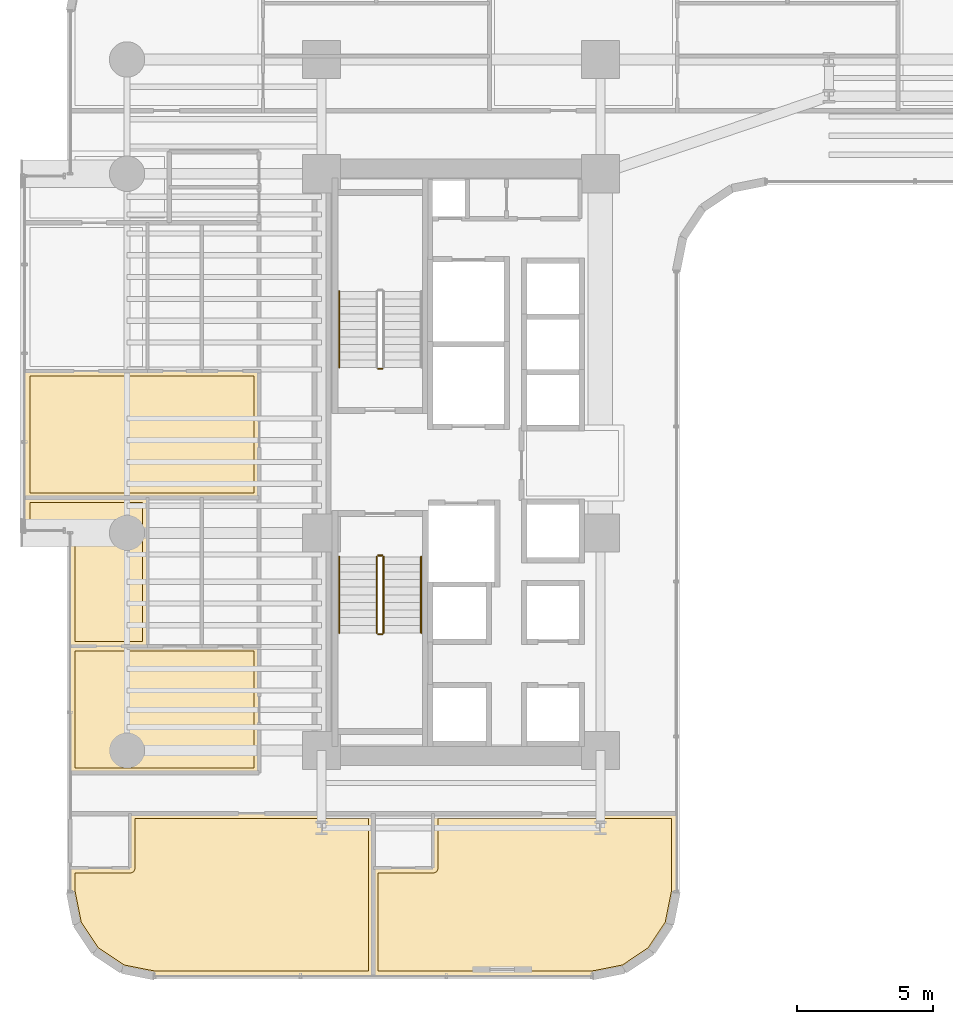
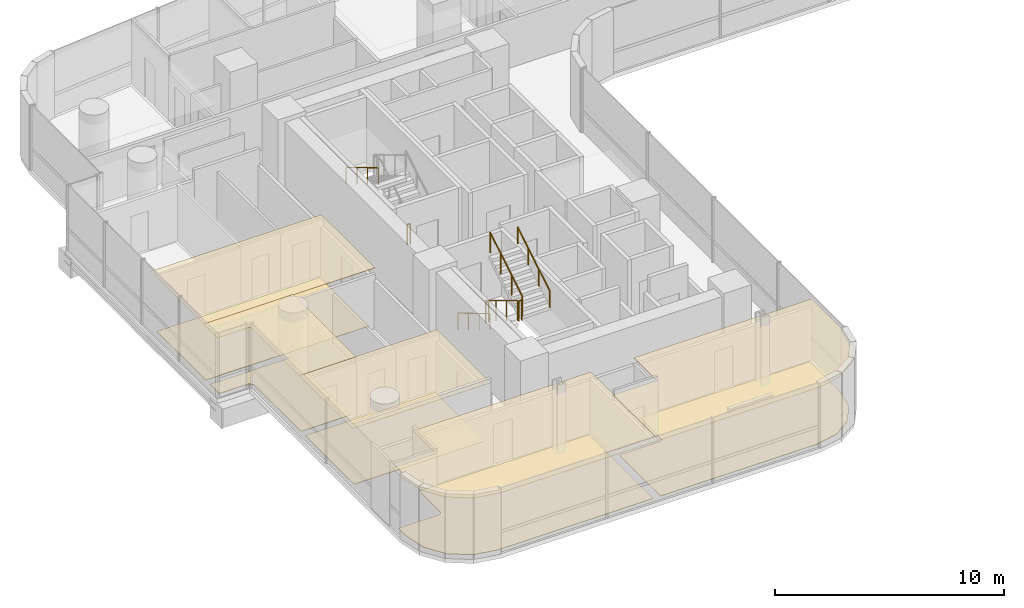
# One storey, part 35 of 40: 10 coverings, 8 railings.
"""IFC4 building model written with IfcOpenShell, lengths in metres."""

from ifc_helpers import new_model, si_unit, direction, frame, origin, origin_2d, place, context, subcontext, project, spatial, polyline, circle, outline, extrude, material, layer, layer_set, type_object, element, save


model = new_model("IFC4")

# Units and contexts
model_context = context("Model", 3, precision=1e-05, world=origin(), true_north=direction((0.0, 1.0)))
body_context = subcontext(model_context, "Body", "Model", "MODEL_VIEW")
ifc_project = project(units=[si_unit("LENGTHUNIT", "METRE"), si_unit("AREAUNIT", "SQUARE_METRE"), si_unit("VOLUMEUNIT", "CUBIC_METRE"), si_unit("PLANEANGLEUNIT", "RADIAN"), si_unit("MASSUNIT", "GRAM", prefix="KILO")], contexts=[model_context])

# Site, building, storey
site_placement = place(None, origin())
site = spatial("IfcSite", under=ifc_project, at=site_placement, CompositionType="ELEMENT")
building_placement = place(site_placement, origin())
building = spatial("IfcBuilding", under=site, at=building_placement, Name="Valdorenza Pilgrim Sanctuary Tower", CompositionType="ELEMENT")
storey_placement = place(building_placement, frame((0.0, 0.0, 44.5)))
storey = spatial("IfcBuildingStorey", under=building, at=storey_placement, Name="L10", CompositionType="ELEMENT", Elevation=44.5)

# Coverings
ifc_material_1 = material(Name="Micro-perforated acoustic mineral ceiling tile", Category="gypsum")
ifc_layer_1 = layer(ifc_material_1, 0.02490234375, Name="Micro-perforated acoustic mineral ceiling tile")
ifc_layer_set_1 = layer_set([ifc_layer_1], Name="Micro-perforated acoustic mineral ceiling tile")
covering_type_1 = type_object("IfcCoveringType", Name="COV-CLG-ACU", PredefinedType="CEILING", material=ifc_layer_set_1)
covering_1_placement = place(storey_placement, frame((0.0, 0.0, 3.159912109375)))
element("IfcCovering", 1, at=covering_1_placement, inside=storey, type_object=covering_type_1, Name="L10 Pilgrim Family Flat L10-W1 Bedroom Acoustic Ceiling", PredefinedType="CEILING", context=body_context, shape_type="SweptSolid", body=[
    extrude(outline(polyline([(-29.034912109375, -6.769287109375), (-29.03515625, -6.77099609375), (-29.035400390625, -6.772216796875), (-29.03564453125, -6.773681640625), (-29.0361328125, -6.775146484375), (-29.036865234375, -6.776611328125), (-29.03759765625, -6.777587890625), (-29.038330078125, -6.77880859375), (-29.039306640625, -6.780029296875), (-29.04052734375, -6.781005859375), (-29.041748046875, -6.781982421875), (-29.04296875, -6.78271484375), (-29.044189453125, -6.783203125), (-29.045654296875, -6.78369140625), (-29.047119140625, -6.7841796875), (-29.048583984375, -6.7841796875), (-29.050048828125, -6.784423828125), (-31.889892578125, -6.784423828125), (-31.8916015625, -6.7841796875), (-31.892822265625, -6.7841796875), (-31.894287109375, -6.78369140625), (-31.895751953125, -6.783203125), (-31.897216796875, -6.78271484375), (-31.898193359375, -6.781982421875), (-31.8994140625, -6.781005859375), (-31.900634765625, -6.780029296875), (-31.901611328125, -6.77880859375), (-31.902587890625, -6.777587890625), (-31.9033203125, -6.776611328125), (-31.90380859375, -6.775146484375), (-31.904296875, -6.773681640625), (-31.90478515625, -6.772216796875), (-31.90478515625, -6.77099609375), (-31.905029296875, -6.769287109375), (-31.905029296875, -2.600341796875), (-31.905517578125, -2.5908203125), (-31.90673828125, -2.58154296875), (-31.9091796875, -2.572509765625), (-31.912109375, -2.563720703125), (-31.916259765625, -2.55517578125), (-31.9208984375, -2.547119140625), (-31.926513671875, -2.539794921875), (-31.932861328125, -2.53271484375), (-31.939697265625, -2.526611328125), (-31.947265625, -2.52099609375), (-31.955078125, -2.51611328125), (-31.963623046875, -2.51220703125), (-31.972412109375, -2.509033203125), (-31.9814453125, -2.5068359375), (-31.99072265625, -2.505615234375), (-32.00048828125, -2.5048828125), (-33.5400390625, -2.5048828125), (-33.54150390625, -2.5048828125), (-33.54296875, -2.504638671875), (-33.54443359375, -2.50439453125), (-33.545654296875, -2.50390625), (-33.547119140625, -2.503173828125), (-33.54833984375, -2.50244140625), (-33.549560546875, -2.501708984375), (-33.550537109375, -2.50048828125), (-33.551513671875, -2.49951171875), (-33.552490234375, -2.498291015625), (-33.55322265625, -2.4970703125), (-33.553955078125, -2.49560546875), (-33.554443359375, -2.494384765625), (-33.5546875, -2.492919921875), (-33.554931640625, -2.491455078125), (-33.554931640625, -2.489990234375), (-33.554931640625, -1.31005859375), (-33.554931640625, -1.30859375), (-33.5546875, -1.30712890625), (-33.554443359375, -1.3056640625), (-33.553955078125, -1.30419921875), (-33.55322265625, -1.302978515625), (-33.552490234375, -1.3017578125), (-33.551513671875, -1.300537109375), (-33.550537109375, -1.29931640625), (-33.549560546875, -1.29833984375), (-33.54833984375, -1.297607421875), (-33.547119140625, -1.296875), (-33.545654296875, -1.296142578125), (-33.54443359375, -1.295654296875), (-33.54296875, -1.29541015625), (-33.54150390625, -1.295166015625), (-33.5400390625, -1.294921875), (-29.050048828125, -1.294921875), (-29.048583984375, -1.295166015625), (-29.047119140625, -1.29541015625), (-29.045654296875, -1.295654296875), (-29.044189453125, -1.296142578125), (-29.04296875, -1.296875), (-29.041748046875, -1.297607421875), (-29.04052734375, -1.29833984375), (-29.039306640625, -1.29931640625), (-29.038330078125, -1.300537109375), (-29.03759765625, -1.3017578125), (-29.036865234375, -1.302978515625), (-29.0361328125, -1.30419921875), (-29.03564453125, -1.3056640625), (-29.035400390625, -1.30712890625), (-29.03515625, -1.30859375), (-29.034912109375, -1.31005859375), (-29.034912109375, -6.769287109375)])), origin(), (0.0, 0.0, 1.0), 0.025146484375),
])
covering_2_placement = place(storey_placement, frame((0.0, 0.0, 3.159912109375)))
element("IfcCovering", 2, at=covering_2_placement, inside=storey, type_object=covering_type_1, Name="L10 Pilgrim Family Flat L10-W1 Living Room Acoustic Ceiling", PredefinedType="CEILING", context=body_context, shape_type="SweptSolid", body=[
    extrude(outline(polyline([(-29.055419921875, -6.75634765625), (-29.054931640625, -6.756103515625), (-29.0537109375, -6.755615234375), (-29.05224609375, -6.7548828125), (-29.05078125, -6.754638671875), (-29.04931640625, -6.75439453125), (-29.048095703125, -6.75439453125), (-24.949951171875, -6.75439453125), (-24.948486328125, -6.75439453125), (-24.947021484375, -6.754638671875), (-24.945556640625, -6.7548828125), (-24.9443359375, -6.755615234375), (-24.94287109375, -6.756103515625), (-24.941650390625, -6.7568359375), (-24.9404296875, -6.7578125), (-24.939453125, -6.7587890625), (-24.9384765625, -6.760009765625), (-24.9375, -6.760986328125), (-24.936767578125, -6.76220703125), (-24.93603515625, -6.763671875), (-24.935546875, -6.764892578125), (-24.935302734375, -6.7666015625), (-24.93505859375, -6.767822265625), (-24.93505859375, -6.769287109375), (-24.93505859375, -11.419921875), (-24.93505859375, -11.42138671875), (-24.935302734375, -11.4228515625), (-24.935546875, -11.42431640625), (-24.93603515625, -11.42578125), (-24.936767578125, -11.427001953125), (-24.9375, -11.42822265625), (-24.9384765625, -11.429443359375), (-24.939453125, -11.4306640625), (-24.9404296875, -11.431640625), (-24.941650390625, -11.4326171875), (-24.94287109375, -11.43310546875), (-24.9443359375, -11.433837890625), (-24.945556640625, -11.434326171875), (-24.947021484375, -11.434814453125), (-24.948486328125, -11.434814453125), (-24.949951171875, -11.43505859375), (-31.889892578125, -11.43505859375), (-31.8916015625, -11.434814453125), (-31.892822265625, -11.434814453125), (-31.894287109375, -11.434326171875), (-31.895751953125, -11.433837890625), (-31.897216796875, -11.43310546875), (-31.898193359375, -11.4326171875), (-31.8994140625, -11.431640625), (-31.900634765625, -11.4306640625), (-31.901611328125, -11.429443359375), (-31.902587890625, -11.42822265625), (-31.9033203125, -11.427001953125), (-31.90380859375, -11.42578125), (-31.904296875, -11.42431640625), (-31.90478515625, -11.4228515625), (-31.90478515625, -11.42138671875), (-31.905029296875, -11.419921875), (-31.905029296875, -6.771484375), (-31.90478515625, -6.77001953125), (-31.90478515625, -6.7685546875), (-31.904296875, -6.76708984375), (-31.90380859375, -6.765625), (-31.9033203125, -6.764404296875), (-31.902587890625, -6.76318359375), (-31.901611328125, -6.761962890625), (-31.900634765625, -6.7607421875), (-31.8994140625, -6.759765625), (-31.898193359375, -6.7587890625), (-31.897216796875, -6.75830078125), (-31.895751953125, -6.757568359375), (-31.894287109375, -6.757080078125), (-31.892822265625, -6.756591796875), (-31.8916015625, -6.756591796875), (-31.889892578125, -6.75634765625), (-29.055419921875, -6.75634765625)])), origin(), (0.0, 0.0, 1.0), 0.025146484375),
])
covering_3_placement = place(storey_placement, frame((0.0, 0.0, 3.159912109375)))
element("IfcCovering", 3, at=covering_3_placement, inside=storey, type_object=covering_type_1, Name="L10 Pilgrim Family Flat L10-W2 Living Room Acoustic Ceiling", PredefinedType="CEILING", context=body_context, shape_type="SweptSolid", body=[
    extrude(outline(polyline([(-29.055419921875, 3.353515625), (-29.054931640625, 3.35400390625), (-29.0537109375, 3.3544921875), (-29.05224609375, 3.35498046875), (-29.05078125, 3.355224609375), (-29.04931640625, 3.35546875), (-29.048095703125, 3.355712890625), (-24.949951171875, 3.355712890625), (-24.948486328125, 3.35546875), (-24.947021484375, 3.355224609375), (-24.945556640625, 3.35498046875), (-24.9443359375, 3.3544921875), (-24.94287109375, 3.353759765625), (-24.941650390625, 3.35302734375), (-24.9404296875, 3.352294921875), (-24.939453125, 3.351318359375), (-24.9384765625, 3.35009765625), (-24.9375, 3.348876953125), (-24.936767578125, 3.34765625), (-24.93603515625, 3.34619140625), (-24.935546875, 3.344970703125), (-24.935302734375, 3.343505859375), (-24.93505859375, 3.342041015625), (-24.93505859375, 3.340576171875), (-24.93505859375, -1.30810546875), (-24.93505859375, -1.3095703125), (-24.935302734375, -1.310791015625), (-24.935546875, -1.3125), (-24.93603515625, -1.313720703125), (-24.936767578125, -1.315185546875), (-24.9375, -1.31640625), (-24.9384765625, -1.3173828125), (-24.939453125, -1.318603515625), (-24.9404296875, -1.319580078125), (-24.941650390625, -1.320556640625), (-24.94287109375, -1.3212890625), (-24.9443359375, -1.322021484375), (-24.945556640625, -1.322509765625), (-24.947021484375, -1.32275390625), (-24.948486328125, -1.322998046875), (-24.949951171875, -1.322998046875), (-27.04833984375, -1.322998046875), (-27.048828125, -1.322998046875), (-27.050537109375, -1.3232421875), (-27.052001953125, -1.3232421875), (-27.053466796875, -1.322998046875), (-27.0537109375, -1.322998046875), (-29.04638671875, -1.322998046875), (-29.046875, -1.322998046875), (-29.048583984375, -1.3232421875), (-29.050048828125, -1.3232421875), (-29.051513671875, -1.322998046875), (-29.0517578125, -1.322998046875), (-33.5400390625, -1.322998046875), (-33.54150390625, -1.322998046875), (-33.54296875, -1.32275390625), (-33.54443359375, -1.322509765625), (-33.545654296875, -1.322021484375), (-33.547119140625, -1.3212890625), (-33.54833984375, -1.320556640625), (-33.549560546875, -1.319580078125), (-33.550537109375, -1.318603515625), (-33.551513671875, -1.3173828125), (-33.552490234375, -1.31640625), (-33.55322265625, -1.315185546875), (-33.553955078125, -1.313720703125), (-33.554443359375, -1.3125), (-33.5546875, -1.310791015625), (-33.554931640625, -1.3095703125), (-33.554931640625, -1.30810546875), (-33.554931640625, 3.338623046875), (-33.554931640625, 3.340087890625), (-33.5546875, 3.341552734375), (-33.554443359375, 3.343017578125), (-33.553955078125, 3.34423828125), (-33.55322265625, 3.345703125), (-33.552490234375, 3.346923828125), (-33.551513671875, 3.34814453125), (-33.550537109375, 3.34912109375), (-33.549560546875, 3.35009765625), (-33.54833984375, 3.35107421875), (-33.547119140625, 3.351806640625), (-33.545654296875, 3.3525390625), (-33.54443359375, 3.35302734375), (-33.54296875, 3.353271484375), (-33.54150390625, 3.353515625), (-33.5400390625, 3.353515625), (-29.055419921875, 3.353515625)])), origin(), (0.0, 0.0, 1.0), 0.025146484375),
])
covering_4_placement = place(storey_placement, frame((0.0, 0.0, 3.159912109375)))
element("IfcCovering", 4, at=covering_4_placement, inside=storey, type_object=covering_type_1, Name="L10 South Sanctuary Guest Room L10-S1A Acoustic Ceiling", PredefinedType="CEILING", context=body_context, shape_type="SweptSolid", body=[
    extrude(outline(polyline([(-29.702880859375, -14.906982421875), (-29.702880859375, -12.919921875), (-29.702880859375, -12.91845703125), (-29.70263671875, -12.9169921875), (-29.702392578125, -12.91552734375), (-29.701904296875, -12.914306640625), (-29.701171875, -12.912841796875), (-29.700439453125, -12.91162109375), (-29.69970703125, -12.910400390625), (-29.698486328125, -12.909423828125), (-29.697509765625, -12.908447265625), (-29.6962890625, -12.907470703125), (-29.695068359375, -12.90673828125), (-29.693603515625, -12.906005859375), (-29.6923828125, -12.905517578125), (-29.69091796875, -12.9052734375), (-29.689453125, -12.905029296875), (-29.68798828125, -12.905029296875), (-20.75, -12.905029296875), (-20.74853515625, -12.905029296875), (-20.7470703125, -12.9052734375), (-20.74560546875, -12.905517578125), (-20.744384765625, -12.906005859375), (-20.742919921875, -12.90673828125), (-20.74169921875, -12.907470703125), (-20.740478515625, -12.908447265625), (-20.739501953125, -12.909423828125), (-20.73828125, -12.910400390625), (-20.737548828125, -12.91162109375), (-20.73681640625, -12.912841796875), (-20.736083984375, -12.914306640625), (-20.735595703125, -12.91552734375), (-20.7353515625, -12.9169921875), (-20.735107421875, -12.91845703125), (-20.735107421875, -12.919921875), (-20.735107421875, -18.889892578125), (-20.735107421875, -18.8916015625), (-20.7353515625, -18.892822265625), (-20.735595703125, -18.894287109375), (-20.736083984375, -18.895751953125), (-20.73681640625, -18.897216796875), (-20.737548828125, -18.898193359375), (-20.73828125, -18.8994140625), (-20.739501953125, -18.900634765625), (-20.740478515625, -18.901611328125), (-20.74169921875, -18.902587890625), (-20.742919921875, -18.9033203125), (-20.744384765625, -18.90380859375), (-20.74560546875, -18.904296875), (-20.7470703125, -18.90478515625), (-20.74853515625, -18.90478515625), (-20.75, -18.905029296875), (-28.789306640625, -18.905029296875), (-28.79052734375, -18.90478515625), (-28.7919921875, -18.90478515625), (-29.984619140625, -18.66748046875), (-29.986083984375, -18.6669921875), (-29.9873046875, -18.66650390625), (-29.98876953125, -18.666015625), (-29.989990234375, -18.665283203125), (-30.99169921875, -17.995849609375), (-30.992919921875, -17.9951171875), (-30.993896484375, -17.993896484375), (-30.9951171875, -17.992919921875), (-30.995849609375, -17.99169921875), (-31.665283203125, -16.989990234375), (-31.666015625, -16.98876953125), (-31.66650390625, -16.9873046875), (-31.6669921875, -16.986083984375), (-31.66748046875, -16.984619140625), (-31.90478515625, -15.7919921875), (-31.90478515625, -15.79052734375), (-31.905029296875, -15.789306640625), (-31.905029296875, -14.922119140625), (-31.90478515625, -14.92041015625), (-31.90478515625, -14.919189453125), (-31.904296875, -14.91748046875), (-31.90380859375, -14.916259765625), (-31.9033203125, -14.914794921875), (-31.902587890625, -14.913818359375), (-31.901611328125, -14.91259765625), (-31.900634765625, -14.911376953125), (-31.8994140625, -14.910400390625), (-31.898193359375, -14.909423828125), (-31.897216796875, -14.90869140625), (-31.895751953125, -14.908203125), (-31.894287109375, -14.90771484375), (-31.892822265625, -14.9072265625), (-31.8916015625, -14.906982421875), (-31.889892578125, -14.906982421875), (-29.702880859375, -14.906982421875)])), origin(), (0.0, 0.0, 1.0), 0.025146484375),
])
covering_5_placement = place(storey_placement, frame((0.0, 0.0, 3.159912109375)))
element("IfcCovering", 5, at=covering_5_placement, inside=storey, type_object=covering_type_1, Name="L10 South Sanctuary Guest Room L10-S1B Acoustic Ceiling", PredefinedType="CEILING", context=body_context, shape_type="SweptSolid", body=[
    extrude(outline(polyline([(-18.56298828125, -14.906982421875), (-18.56298828125, -12.919921875), (-18.56298828125, -12.91845703125), (-18.562744140625, -12.9169921875), (-18.5625, -12.91552734375), (-18.56201171875, -12.914306640625), (-18.561279296875, -12.912841796875), (-18.560546875, -12.91162109375), (-18.5595703125, -12.910400390625), (-18.55859375, -12.909423828125), (-18.5576171875, -12.908447265625), (-18.556396484375, -12.907470703125), (-18.55517578125, -12.90673828125), (-18.5537109375, -12.906005859375), (-18.552490234375, -12.905517578125), (-18.55078125, -12.9052734375), (-18.549560546875, -12.905029296875), (-18.548095703125, -12.905029296875), (-9.610107421875, -12.905029296875), (-9.6083984375, -12.905029296875), (-9.607177734375, -12.9052734375), (-9.605712890625, -12.905517578125), (-9.604248046875, -12.906005859375), (-9.602783203125, -12.90673828125), (-9.601806640625, -12.907470703125), (-9.6005859375, -12.908447265625), (-9.599365234375, -12.909423828125), (-9.598388671875, -12.910400390625), (-9.597412109375, -12.91162109375), (-9.5966796875, -12.912841796875), (-9.59619140625, -12.914306640625), (-9.595703125, -12.91552734375), (-9.59521484375, -12.9169921875), (-9.59521484375, -12.91845703125), (-9.594970703125, -12.919921875), (-9.594970703125, -15.789306640625), (-9.59521484375, -15.79052734375), (-9.59521484375, -15.7919921875), (-9.83251953125, -16.984619140625), (-9.8330078125, -16.986083984375), (-9.83349609375, -16.9873046875), (-9.833984375, -16.98876953125), (-9.834716796875, -16.989990234375), (-10.504150390625, -17.99169921875), (-10.5048828125, -17.992919921875), (-10.506103515625, -17.993896484375), (-10.507080078125, -17.9951171875), (-10.50830078125, -17.995849609375), (-11.510009765625, -18.665283203125), (-11.51123046875, -18.666015625), (-11.5126953125, -18.66650390625), (-11.513916015625, -18.6669921875), (-11.515380859375, -18.66748046875), (-12.7080078125, -18.90478515625), (-12.70947265625, -18.90478515625), (-12.710693359375, -18.905029296875), (-20.748046875, -18.905029296875), (-20.74951171875, -18.90478515625), (-20.7509765625, -18.90478515625), (-20.75244140625, -18.904296875), (-20.753662109375, -18.90380859375), (-20.755126953125, -18.9033203125), (-20.75634765625, -18.902587890625), (-20.757568359375, -18.901611328125), (-20.758544921875, -18.900634765625), (-20.759521484375, -18.8994140625), (-20.760498046875, -18.898193359375), (-20.76123046875, -18.897216796875), (-20.761962890625, -18.895751953125), (-20.762451171875, -18.894287109375), (-20.7626953125, -18.892822265625), (-20.762939453125, -18.8916015625), (-20.762939453125, -18.889892578125), (-20.762939453125, -14.922119140625), (-20.762939453125, -14.92041015625), (-20.7626953125, -14.919189453125), (-20.762451171875, -14.91748046875), (-20.761962890625, -14.916259765625), (-20.76123046875, -14.914794921875), (-20.760498046875, -14.913818359375), (-20.759521484375, -14.91259765625), (-20.758544921875, -14.911376953125), (-20.757568359375, -14.910400390625), (-20.75634765625, -14.909423828125), (-20.755126953125, -14.90869140625), (-20.753662109375, -14.908203125), (-20.75244140625, -14.90771484375), (-20.7509765625, -14.9072265625), (-20.74951171875, -14.906982421875), (-20.748046875, -14.906982421875), (-18.56298828125, -14.906982421875)])), origin(), (0.0, 0.0, 1.0), 0.025146484375),
])
ifc_material_2 = material(Name="Engineered European oak timber flooring", Category="wood")
ifc_layer_2 = layer(ifc_material_2, 0.02197265625, Name="Engineered European oak timber flooring")
ifc_layer_set_2 = layer_set([ifc_layer_2], Name="Engineered European oak timber flooring")
covering_type_2 = type_object("IfcCoveringType", Name="COV-FLR-OAK", PredefinedType="FLOORING", material=ifc_layer_set_2)
covering_6_placement = place(storey_placement, origin())
element("IfcCovering", 6, at=covering_6_placement, inside=storey, type_object=covering_type_2, Name="L10 Pilgrim Family Flat L10-W1 Bedroom Flooring", PredefinedType="FLOORING", context=body_context, shape_type="SweptSolid", body=[
    extrude(outline(polyline([(-29.22998046875, -6.58935546875), (-31.7099609375, -6.58935546875), (-31.7099609375, -2.60009765625), (-31.710205078125, -2.59130859375), (-31.710693359375, -2.580322265625), (-31.71240234375, -2.562744140625), (-31.714111328125, -2.552001953125), (-31.717529296875, -2.534912109375), (-31.72021484375, -2.5244140625), (-31.725341796875, -2.50732421875), (-31.72900390625, -2.497314453125), (-31.735595703125, -2.48095703125), (-31.740234375, -2.47119140625), (-31.74853515625, -2.45556640625), (-31.754150390625, -2.4462890625), (-31.763916015625, -2.431640625), (-31.7705078125, -2.423095703125), (-31.781494140625, -2.4091796875), (-31.788818359375, -2.4013671875), (-31.80126953125, -2.388916015625), (-31.809326171875, -2.381591796875), (-31.822998046875, -2.370361328125), (-31.831787109375, -2.364013671875), (-31.84619140625, -2.35400390625), (-31.855712890625, -2.3486328125), (-31.87109375, -2.34033203125), (-31.880859375, -2.335693359375), (-31.897216796875, -2.328857421875), (-31.907470703125, -2.3251953125), (-31.92431640625, -2.320068359375), (-31.934814453125, -2.3173828125), (-31.9521484375, -2.314208984375), (-31.962890625, -2.3125), (-31.98046875, -2.310791015625), (-31.9912109375, -2.310302734375), (-32.0, -2.31005859375), (-33.360107421875, -2.31005859375), (-33.360107421875, -1.489990234375), (-29.22998046875, -1.489990234375), (-29.22998046875, -6.58935546875)])), origin(), (0.0, 0.0, 1.0), 0.02490234375),
])
covering_7_placement = place(storey_placement, origin())
element("IfcCovering", 7, at=covering_7_placement, inside=storey, type_object=covering_type_2, Name="L10 Pilgrim Family Flat L10-W1 Living Room Flooring", PredefinedType="FLOORING", context=body_context, shape_type="SweptSolid", body=[
    extrude(outline(polyline([(-25.1298828125, -11.239990234375), (-31.7099609375, -11.239990234375), (-31.7099609375, -6.951416015625), (-29.050048828125, -6.951416015625), (-25.1298828125, -6.949462890625), (-25.1298828125, -11.239990234375)])), origin(), (0.0, 0.0, 1.0), 0.02490234375),
])
covering_8_placement = place(storey_placement, origin())
element("IfcCovering", 8, at=covering_8_placement, inside=storey, type_object=covering_type_2, Name="L10 Pilgrim Family Flat L10-W2 Living Room Flooring", PredefinedType="FLOORING", context=body_context, shape_type="SweptSolid", body=[
    extrude(outline(polyline([(-29.0498046875, -1.1279296875), (-29.050048828125, -1.1279296875), (-33.360107421875, -1.1279296875), (-33.360107421875, 3.15869140625), (-29.050048828125, 3.15869140625), (-25.1298828125, 3.160400390625), (-25.1298828125, -1.1279296875), (-27.050048828125, -1.1279296875), (-27.051025390625, -1.1279296875), (-27.0517578125, -1.1279296875), (-27.052001953125, -1.1279296875), (-29.048095703125, -1.1279296875), (-29.049072265625, -1.1279296875), (-29.0498046875, -1.1279296875)])), origin(), (0.0, 0.0, 1.0), 0.02490234375),
])
covering_9_placement = place(storey_placement, origin())
element("IfcCovering", 9, at=covering_9_placement, inside=storey, type_object=covering_type_2, Name="L10 South Sanctuary Guest Room L10-S1A Flooring", PredefinedType="FLOORING", context=body_context, shape_type="SweptSolid", body=[
    extrude(outline(polyline([(-28.771484375, -18.7099609375), (-29.911376953125, -18.483154296875), (-30.853515625, -17.853515625), (-31.483154296875, -16.911376953125), (-31.7099609375, -15.771484375), (-31.7099609375, -15.10205078125), (-29.68994140625, -15.10205078125), (-29.68115234375, -15.101806640625), (-29.680908203125, -15.101806640625), (-29.663330078125, -15.10009765625), (-29.6630859375, -15.10009765625), (-29.64599609375, -15.0966796875), (-29.645751953125, -15.096435546875), (-29.62890625, -15.09130859375), (-29.628662109375, -15.09130859375), (-29.6123046875, -15.084716796875), (-29.612060546875, -15.08447265625), (-29.596435546875, -15.076171875), (-29.596435546875, -15.076171875), (-29.581787109375, -15.066162109375), (-29.58154296875, -15.066162109375), (-29.56787109375, -15.054931640625), (-29.567626953125, -15.0546875), (-29.55517578125, -15.042236328125), (-29.55517578125, -15.0419921875), (-29.5439453125, -15.028564453125), (-29.543701171875, -15.0283203125), (-29.533935546875, -15.013671875), (-29.53369140625, -15.013427734375), (-29.525390625, -14.997802734375), (-29.525390625, -14.997802734375), (-29.518798828125, -14.9814453125), (-29.5185546875, -14.981201171875), (-29.513427734375, -14.96435546875), (-29.513427734375, -14.964111328125), (-29.510009765625, -14.94677734375), (-29.510009765625, -14.946533203125), (-29.50830078125, -14.928955078125), (-29.50830078125, -14.9287109375), (-29.508056640625, -14.919921875), (-29.508056640625, -13.10009765625), (-20.929931640625, -13.10009765625), (-20.929931640625, -18.7099609375), (-28.771484375, -18.7099609375)])), origin(), (0.0, 0.0, 1.0), 0.02490234375),
])
covering_10_placement = place(storey_placement, origin())
element("IfcCovering", 10, at=covering_10_placement, inside=storey, type_object=covering_type_2, Name="L10 South Sanctuary Guest Room L10-S1B Flooring", PredefinedType="FLOORING", context=body_context, shape_type="SweptSolid", body=[
    extrude(outline(polyline([(-10.016845703125, -16.911376953125), (-10.646484375, -17.853515625), (-11.588623046875, -18.483154296875), (-12.728515625, -18.7099609375), (-20.568115234375, -18.7099609375), (-20.568115234375, -15.10205078125), (-18.550048828125, -15.10205078125), (-18.541259765625, -15.101806640625), (-18.541015625, -15.101806640625), (-18.5234375, -15.10009765625), (-18.523193359375, -15.10009765625), (-18.505859375, -15.0966796875), (-18.505615234375, -15.096435546875), (-18.48876953125, -15.09130859375), (-18.488525390625, -15.09130859375), (-18.472412109375, -15.084716796875), (-18.47216796875, -15.08447265625), (-18.45654296875, -15.076171875), (-18.456298828125, -15.076171875), (-18.441650390625, -15.066162109375), (-18.44140625, -15.066162109375), (-18.427978515625, -15.054931640625), (-18.427734375, -15.0546875), (-18.415283203125, -15.042236328125), (-18.4150390625, -15.0419921875), (-18.40380859375, -15.028564453125), (-18.40380859375, -15.0283203125), (-18.393798828125, -15.013671875), (-18.393798828125, -15.013427734375), (-18.385498046875, -14.997802734375), (-18.385498046875, -14.997802734375), (-18.378662109375, -14.9814453125), (-18.378662109375, -14.981201171875), (-18.37353515625, -14.96435546875), (-18.373291015625, -14.964111328125), (-18.3701171875, -14.94677734375), (-18.3701171875, -14.946533203125), (-18.3681640625, -14.928955078125), (-18.3681640625, -14.9287109375), (-18.367919921875, -14.919921875), (-18.367919921875, -13.10009765625), (-9.7900390625, -13.10009765625), (-9.7900390625, -15.771484375), (-10.016845703125, -16.911376953125)])), origin(), (0.0, 0.0, 1.0), 0.02490234375),
])

# Railings
ifc_material_3 = material(Name="Stainless steel Grade 316", Category="steel")
railing_type_1 = type_object("IfcRailingType", Name="RLG-GRD-1120", PredefinedType="GUARDRAIL", material=ifc_material_3)
railing_1_placement = place(storey_placement, frame((-20.419921875, 3.429931640625, 0.0)))
element("IfcRailing", 11, at=railing_1_placement, inside=storey, type_object=railing_type_1, Name="L10 ST-A1 stair guard 4", PredefinedType="GUARDRAIL", context=body_context, shape_type="SweptSolid", body=[
    extrude(circle(Radius=0.02392578125, at=origin_2d()), frame((0.0, 0.0, 1.076171875), z_axis=(-1.0, 0.0, 0.0), x_axis=(0.0, -1.0, 0.0)), (0.0, 0.0, 1.0), 0.150146484375),
    extrude(circle(Radius=0.02099609375, at=origin_2d()), origin(), (0.0, 0.0, 1.0), 1.052001953125),
    extrude(circle(Radius=0.02099609375, at=origin_2d()), frame((-0.150146484375, 0.0, 0.0)), (0.0, 0.0, 1.0), 1.052001953125),
])
railing_2_placement = place(storey_placement, frame((-20.6201171875, -3.47998046875, 0.168212890625)))
element("IfcRailing", 12, at=railing_2_placement, inside=storey, type_object=railing_type_1, Name="L10 ST-A2 stair guard 1", PredefinedType="GUARDRAIL", context=body_context, shape_type="SweptSolid", body=[
    extrude(circle(Radius=0.02392578125, at=origin_2d()), frame((0.0, 0.0, 1.076171875), z_axis=(0.0, -0.857242210791, 0.514913383045), x_axis=(1.0, 0.0, 0.0)), (0.0, 0.0, 1.0), 3.266357421875),
    extrude(circle(Radius=0.02099609375, at=origin_2d()), origin(), (0.0, 0.0, 1.0), 1.052001953125),
    extrude(circle(Radius=0.02099609375, at=origin_2d()), frame((0.0, -0.933349609375, 0.560546875)), (0.0, 0.0, 1.0), 1.052001953125),
    extrude(circle(Radius=0.02099609375, at=origin_2d()), frame((0.0, -1.86669921875, 1.121337890625)), (0.0, 0.0, 1.0), 1.052001953125),
    extrude(circle(Radius=0.02099609375, at=origin_2d()), frame((0.0, -2.800048828125, 1.681884765625)), (0.0, 0.0, 1.0), 1.052001953125),
])
railing_3_placement = place(storey_placement, frame((-20.570068359375, -6.330078125, 1.85009765625)))
element("IfcRailing", 13, at=railing_3_placement, inside=storey, type_object=railing_type_1, Name="L10 ST-A2 stair guard 2", PredefinedType="GUARDRAIL", context=body_context, shape_type="SweptSolid", body=[
    extrude(circle(Radius=0.02392578125, at=origin_2d()), frame((0.0, 0.0, 1.076171875), z_axis=(1.0, 0.0, 0.0), x_axis=(0.0, 1.0, 0.0)), (0.0, 0.0, 1.0), 0.150146484375),
    extrude(circle(Radius=0.02099609375, at=origin_2d()), origin(), (0.0, 0.0, 1.0), 1.052001953125),
    extrude(circle(Radius=0.02099609375, at=origin_2d()), frame((0.150146484375, 0.0, 0.0)), (0.0, 0.0, 1.0), 1.052001953125),
])
railing_4_placement = place(storey_placement, frame((-20.3701171875, -6.280029296875, 2.01806640625)))
element("IfcRailing", 14, at=railing_4_placement, inside=storey, type_object=railing_type_1, Name="L10 ST-A2 stair guard 3", PredefinedType="GUARDRAIL", context=body_context, shape_type="SweptSolid", body=[
    extrude(circle(Radius=0.02392578125, at=origin_2d()), frame((0.0, 0.0, 1.076171875), z_axis=(0.0, 0.857242210791, 0.514913383045), x_axis=(-1.0, 0.0, 0.0)), (0.0, 0.0, 1.0), 3.266357421875),
    extrude(circle(Radius=0.02099609375, at=origin_2d()), origin(), (0.0, 0.0, 1.0), 1.052001953125),
    extrude(circle(Radius=0.02099609375, at=origin_2d()), frame((0.0, 0.933349609375, 0.560546875)), (0.0, 0.0, 1.0), 1.052001953125),
    extrude(circle(Radius=0.02099609375, at=origin_2d()), frame((0.0, 1.86669921875, 1.121337890625)), (0.0, 0.0, 1.0), 1.052001953125),
    extrude(circle(Radius=0.02099609375, at=origin_2d()), frame((0.0, 2.800048828125, 1.681884765625)), (0.0, 0.0, 1.0), 1.052001953125),
])
railing_5_placement = place(storey_placement, frame((-20.570068359375, -3.429931640625, 0.0)))
element("IfcRailing", 15, at=railing_5_placement, inside=storey, type_object=railing_type_1, Name="L10 ST-A2 stair guard 4", PredefinedType="GUARDRAIL", context=body_context, shape_type="SweptSolid", body=[
    extrude(circle(Radius=0.02392578125, at=origin_2d()), frame((0.0, 0.0, 1.076171875), z_axis=(1.0, 0.0, 0.0), x_axis=(0.0, 1.0, 0.0)), (0.0, 0.0, 1.0), 0.150146484375),
    extrude(circle(Radius=0.02099609375, at=origin_2d()), origin(), (0.0, 0.0, 1.0), 1.052001953125),
    extrude(circle(Radius=0.02099609375, at=origin_2d()), frame((0.150146484375, 0.0, 0.0)), (0.0, 0.0, 1.0), 1.052001953125),
])
ifc_material_4 = material(Name="Brushed stainless steel Grade 316", Category="steel")
railing_type_2 = type_object("IfcRailingType", Name="RLG-HND-920", PredefinedType="HANDRAIL", material=ifc_material_4)
for number, where, name in (
    (16, (-22.0, 6.280029296875, 2.01806640625), "L10 ST-A1 stair handrail 2"),
    (17, (-22.0, -3.47998046875, 0.168212890625), "L10 ST-A2 stair handrail 1"),
):
    element("IfcRailing", number, at=place(storey_placement, frame(where)), inside=storey, type_object=railing_type_2, Name=name, PredefinedType="HANDRAIL", context=body_context, shape_type="SweptSolid", body=[
        extrude(circle(Radius=0.02392578125, at=origin_2d()), frame((0.0, 0.0, 0.8759765625), z_axis=(0.0, -0.857242210791, 0.514913383045), x_axis=(1.0, 0.0, 0.0)), (0.0, 0.0, 1.0), 3.266357421875),
        extrude(circle(Radius=0.02099609375, at=origin_2d()), origin(), (0.0, 0.0, 1.0), 0.851806640625),
        extrude(circle(Radius=0.02099609375, at=origin_2d()), frame((0.0, -0.933349609375, 0.560546875)), (0.0, 0.0, 1.0), 0.851806640625),
        extrude(circle(Radius=0.02099609375, at=origin_2d()), frame((0.0, -1.86669921875, 1.121337890625)), (0.0, 0.0, 1.0), 0.851806640625),
        extrude(circle(Radius=0.02099609375, at=origin_2d()), frame((0.0, -2.800048828125, 1.681884765625)), (0.0, 0.0, 1.0), 0.851806640625),
    ])
railing_6_placement = place(storey_placement, frame((-18.989990234375, -6.280029296875, 2.01806640625)))
element("IfcRailing", 18, at=railing_6_placement, inside=storey, type_object=railing_type_2, Name="L10 ST-A2 stair handrail 2", PredefinedType="HANDRAIL", context=body_context, shape_type="SweptSolid", body=[
    extrude(circle(Radius=0.02392578125, at=origin_2d()), frame((0.0, 0.0, 0.8759765625), z_axis=(0.0, 0.857242210791, 0.514913383045), x_axis=(-1.0, 0.0, 0.0)), (0.0, 0.0, 1.0), 3.266357421875),
    extrude(circle(Radius=0.02099609375, at=origin_2d()), origin(), (0.0, 0.0, 1.0), 0.851806640625),
    extrude(circle(Radius=0.02099609375, at=origin_2d()), frame((0.0, 0.933349609375, 0.560546875)), (0.0, 0.0, 1.0), 0.851806640625),
    extrude(circle(Radius=0.02099609375, at=origin_2d()), frame((0.0, 1.86669921875, 1.121337890625)), (0.0, 0.0, 1.0), 0.851806640625),
    extrude(circle(Radius=0.02099609375, at=origin_2d()), frame((0.0, 2.800048828125, 1.681884765625)), (0.0, 0.0, 1.0), 0.851806640625),
])

save(model, "model.ifc")
